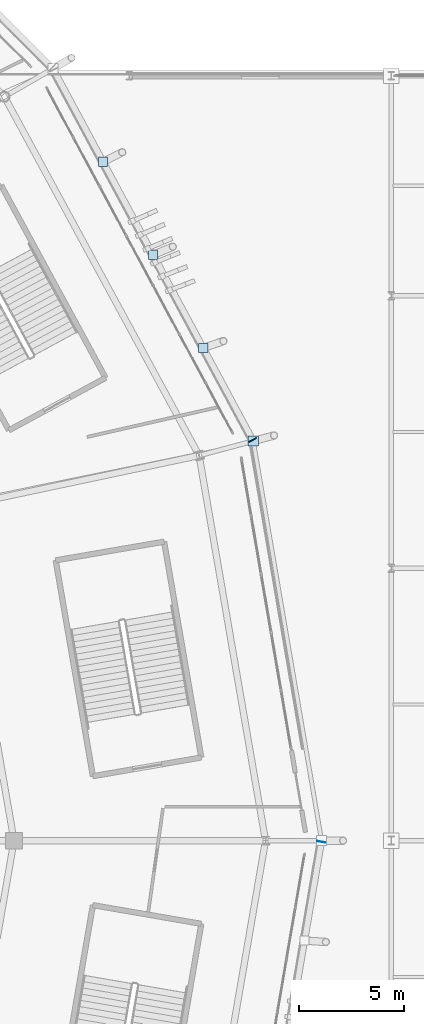
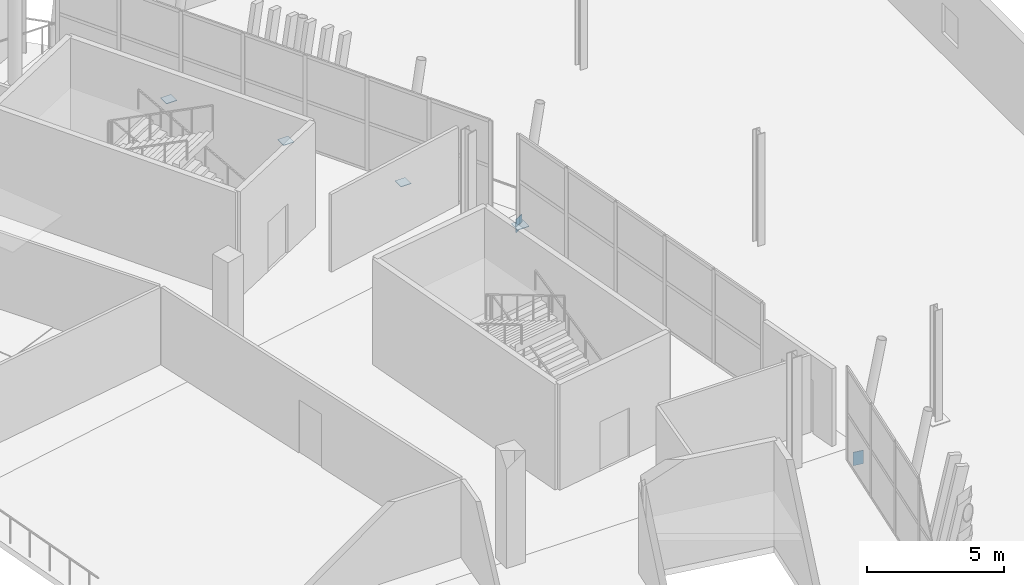
# One storey, part 115 of 179: 6 plates.
"""IFC4 building model written with IfcOpenShell, lengths in metres."""

from ifc_helpers import new_model, si_unit, direction, frame, origin, origin_2d, place, context, subcontext, project, spatial, rectangle, extrude, material, layer, layer_set, type_object, element, save


model = new_model("IFC4")

# Units and contexts
model_context = context("Model", 3, precision=1e-05, world=origin(), true_north=direction((0.0, 1.0)))
body_context = subcontext(model_context, "Body", "Model", "MODEL_VIEW")
ifc_project = project(units=[si_unit("LENGTHUNIT", "METRE"), si_unit("AREAUNIT", "SQUARE_METRE"), si_unit("VOLUMEUNIT", "CUBIC_METRE"), si_unit("PLANEANGLEUNIT", "RADIAN"), si_unit("MASSUNIT", "GRAM", prefix="KILO")], contexts=[model_context])

# Site, building, storey
site_placement = place(None, origin())
site = spatial("IfcSite", under=ifc_project, at=site_placement, CompositionType="ELEMENT")
building_placement = place(site_placement, origin())
building = spatial("IfcBuilding", under=site, at=building_placement, Name="Zlatoyarsky Gate Stadium", CompositionType="ELEMENT")
storey_placement = place(building_placement, frame((0.0, 0.0, 10.60009765625)))
storey = spatial("IfcBuildingStorey", under=building, at=storey_placement, Name="L02", CompositionType="ELEMENT", Elevation=10.60009765625)

# Plates
ifc_material = material(Name="Steel S355", Category="steel")
ifc_layer = layer(ifc_material, 0.02392578125)
ifc_layer_set = layer_set([ifc_layer], Name="Steel S355")
plate_type = type_object("IfcPlateType", Name="STEEL HOLLOW CHORD SPLICE SHEET 24", PredefinedType="SHEET", material=ifc_layer_set)
plate_1_placement = place(storey_placement, frame((203.387451171875, 99.12158203125, -0.830078125), z_axis=(0.0, 0.0, 1.0), x_axis=(-0.473714375599, 0.880678539735, 0.0)))
element("IfcPlate", 1, at=plate_1_placement, inside=storey, type_object=plate_type, Name="Hollow end cap ND-SP1 CAP-L02-SPD-01 A", PredefinedType="SHEET", context=body_context, shape_type="SweptSolid", body=[
    extrude(rectangle(XDim=0.02392578125, YDim=0.39990234375, at=origin_2d()), origin(), (0.0, 0.0, 1.0), 0.60009765625),
])
plate_2_placement = place(storey_placement, frame((203.415771484375, 99.068603515625, -0.592041015625), z_axis=(0.0, 0.0, 1.0), x_axis=(1.0, 0.0, 0.0)))
element("IfcPlate", 2, at=plate_2_placement, inside=storey, type_object=plate_type, Name="Node closure plate ND-SP1 NCAP-L02-RSTR-01", PredefinedType="SHEET", context=body_context, shape_type="SweptSolid", body=[
    extrude(rectangle(XDim=0.47998046875, YDim=0.47998046875, at=origin_2d()), origin(), (0.0, 0.0, 1.0), 0.02392578125),
])
plate_3_placement = place(storey_placement, frame((206.665771484375, 79.94091796875, -0.830078125), z_axis=(0.0, 0.0, 1.0), x_axis=(0.168520891179, 0.985698082192, 0.0)))
element("IfcPlate", 3, at=plate_3_placement, inside=storey, type_object=plate_type, Name="Hollow end cap ND-SP1 CAP-L02-SPD-23 B", PredefinedType="SHEET", context=body_context, shape_type="SweptSolid", body=[
    extrude(rectangle(XDim=0.02392578125, YDim=0.39990234375, at=origin_2d()), origin(), (0.0, 0.0, 1.0), 0.60009765625),
])
for number, where, z_axis, x_axis, name in (
    (4, (201.0263671875, 103.510986328125, -0.5419921875), (0.0, 0.0, 1.0), (1.0, 0.0, 0.0), "Node closure plate ND-SP1 NCAP-RIB-01-1-0T"),
    (5, (198.63671875, 107.953369140625, -0.5419921875), (0.0, 0.0, 1.0), (1.0, 0.0, 0.0), "Node closure plate ND-SP1 NCAP-RIB-01-2-0T"),
    (6, (196.247314453125, 112.3955078125, -0.5419921875), (0.0, 0.0, 1.0), (1.0, 0.0, 0.0), "Node closure plate ND-SP1 NCAP-RIB-01-3-0T"),
):
    element("IfcPlate", number, at=place(storey_placement, frame(where, z_axis=z_axis, x_axis=x_axis)), inside=storey, type_object=plate_type, Name=name, PredefinedType="SHEET", context=body_context, shape_type="SweptSolid", body=[
        extrude(rectangle(XDim=0.43994140625, YDim=0.43994140625, at=origin_2d()), origin(), (0.0, 0.0, 1.0), 0.02392578125),
    ])

save(model, "model.ifc")
